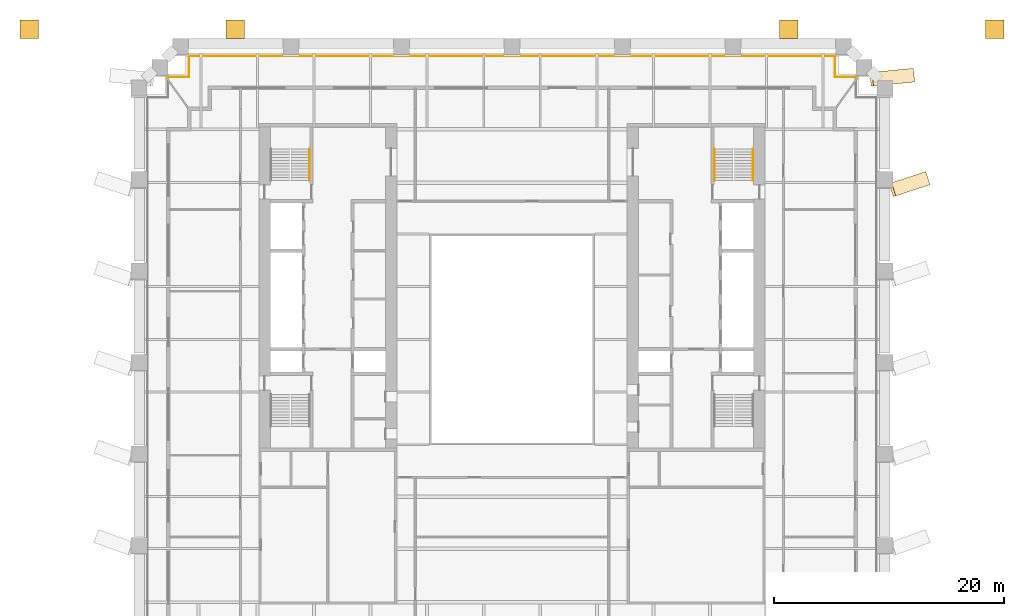
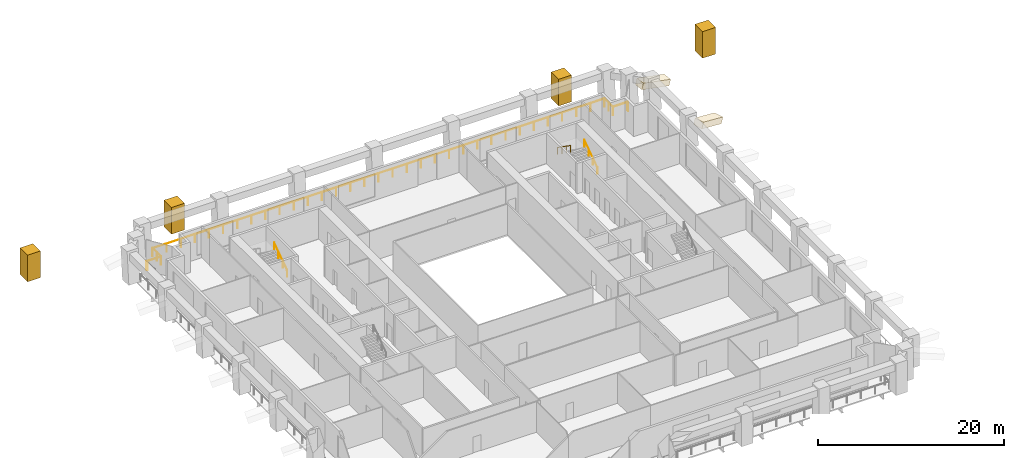
# One storey, part 10 of 10: 6 coverings, 4 railings.
"""IFC4 building model written with IfcOpenShell, lengths in metres."""

from ifc_helpers import new_model, si_unit, direction, frame, origin, origin_2d, place, context, subcontext, project, spatial, rectangle, circle, extrude, material, material_profile, profile_set, type_object, element, save


model = new_model("IFC4")

# Units and contexts
model_context = context("Model", 3, precision=1e-05, world=origin(), true_north=direction((0.0, 1.0)))
body_context = subcontext(model_context, "Body", "Model", "MODEL_VIEW")
ifc_project = project(units=[si_unit("LENGTHUNIT", "METRE"), si_unit("AREAUNIT", "SQUARE_METRE"), si_unit("VOLUMEUNIT", "CUBIC_METRE"), si_unit("PLANEANGLEUNIT", "RADIAN"), si_unit("MASSUNIT", "GRAM", prefix="KILO")], contexts=[model_context])

# Site, building, storey
site_placement = place(None, origin())
site = spatial("IfcSite", under=ifc_project, at=site_placement, CompositionType="ELEMENT")
building_placement = place(site_placement, origin())
building = spatial("IfcBuilding", under=site, at=building_placement, Name="Ogive Exchange Tower", CompositionType="ELEMENT")
storey_placement = place(building_placement, frame((0.0, 0.0, 43.800048828125)))
storey = spatial("IfcBuildingStorey", under=building, at=storey_placement, Name="L08", CompositionType="ELEMENT", Elevation=43.800048828125)

# Railing
ifc_material_1 = material(Name="Stainless steel 316", Category="steel")
railing_type_1 = type_object("IfcRailingType", Name="Guard 1100 stainless steel and glass", PredefinedType="GUARDRAIL", material=ifc_material_1)
railing_1_placement = place(storey_placement, frame((-29.8798828125, 29.64013671875, -0.050048828125)))
element("IfcRailing", 1, at=railing_1_placement, inside=storey, type_object=railing_type_1, Name="Loggia guard 3", PredefinedType="GUARDRAIL", context=body_context, shape_type="SweptSolid", body=[
    extrude(circle(Radius=0.02392578125, at=origin_2d()), frame((0.0, 0.0, 1.076171875), z_axis=(0.0, 1.0, 0.0), x_axis=(-1.0, 0.0, 0.0)), (0.0, 0.0, 1.0), 0.167236328125),
    extrude(circle(Radius=0.02392578125, at=origin_2d()), frame((0.0, 0.167236328125, 1.076171875), z_axis=(1.0, 0.0, 0.0), x_axis=(0.0, 1.0, 0.0)), (0.0, 0.0, 1.0), 1.7998046875),
    extrude(circle(Radius=0.02392578125, at=origin_2d()), frame((1.7998046875, 0.167236328125, 1.076171875), z_axis=(0.0, 1.0, 0.0), x_axis=(-1.0, 0.0, 0.0)), (0.0, 0.0, 1.0), 1.800048828125),
    extrude(circle(Radius=0.02392578125, at=origin_2d()), frame((1.7998046875, 1.96728515625, 1.076171875), z_axis=(1.0, 0.0, 0.0), x_axis=(0.0, 1.0, 0.0)), (0.0, 0.0, 1.0), 56.16015625),
    extrude(circle(Radius=0.02392578125, at=origin_2d()), frame((57.9599609375, 1.96728515625, 1.076171875), z_axis=(0.0, -1.0, 0.0), x_axis=(1.0, 0.0, 0.0)), (0.0, 0.0, 1.0), 1.800048828125),
    extrude(circle(Radius=0.02392578125, at=origin_2d()), frame((57.9599609375, 0.167236328125, 1.076171875), z_axis=(1.0, 0.0, 0.0), x_axis=(0.0, 1.0, 0.0)), (0.0, 0.0, 1.0), 1.7998046875),
    extrude(circle(Radius=0.02392578125, at=origin_2d()), frame((59.759765625, 0.167236328125, 1.076171875), z_axis=(0.0, -1.0, 0.0), x_axis=(1.0, 0.0, 0.0)), (0.0, 0.0, 1.0), 0.167236328125),
    extrude(circle(Radius=0.02099609375, at=origin_2d()), origin(), (0.0, 0.0, 1.0), 1.052001953125),
    extrude(circle(Radius=0.02099609375, at=origin_2d()), frame((0.0, 0.167236328125, 0.0)), (0.0, 0.0, 1.0), 1.052001953125),
    extrude(circle(Radius=0.02099609375, at=origin_2d()), frame((1.7998046875, 0.167236328125, 0.0)), (0.0, 0.0, 1.0), 1.052001953125),
    extrude(circle(Radius=0.02099609375, at=origin_2d()), frame((1.7998046875, 1.0673828125, 0.0)), (0.0, 0.0, 1.0), 1.052001953125),
    extrude(circle(Radius=0.02099609375, at=origin_2d()), frame((1.7998046875, 1.96728515625, 0.0)), (0.0, 0.0, 1.0), 1.052001953125),
    extrude(circle(Radius=0.02099609375, at=origin_2d()), frame((3.5546875, 1.96728515625, 0.0)), (0.0, 0.0, 1.0), 1.052001953125),
    extrude(circle(Radius=0.02099609375, at=origin_2d()), frame((5.309814453125, 1.96728515625, 0.0)), (0.0, 0.0, 1.0), 1.052001953125),
    extrude(circle(Radius=0.02099609375, at=origin_2d()), frame((7.06494140625, 1.96728515625, 0.0)), (0.0, 0.0, 1.0), 1.052001953125),
    extrude(circle(Radius=0.02099609375, at=origin_2d()), frame((8.81982421875, 1.96728515625, 0.0)), (0.0, 0.0, 1.0), 1.052001953125),
    extrude(circle(Radius=0.02099609375, at=origin_2d()), frame((10.57470703125, 1.96728515625, 0.0)), (0.0, 0.0, 1.0), 1.052001953125),
    extrude(circle(Radius=0.02099609375, at=origin_2d()), frame((12.329833984375, 1.96728515625, 0.0)), (0.0, 0.0, 1.0), 1.052001953125),
    extrude(circle(Radius=0.02099609375, at=origin_2d()), frame((14.0849609375, 1.96728515625, 0.0)), (0.0, 0.0, 1.0), 1.052001953125),
    extrude(circle(Radius=0.02099609375, at=origin_2d()), frame((15.83984375, 1.96728515625, 0.0)), (0.0, 0.0, 1.0), 1.052001953125),
    extrude(circle(Radius=0.02099609375, at=origin_2d()), frame((17.5947265625, 1.96728515625, 0.0)), (0.0, 0.0, 1.0), 1.052001953125),
    extrude(circle(Radius=0.02099609375, at=origin_2d()), frame((19.349853515625, 1.96728515625, 0.0)), (0.0, 0.0, 1.0), 1.052001953125),
    extrude(circle(Radius=0.02099609375, at=origin_2d()), frame((21.10498046875, 1.96728515625, 0.0)), (0.0, 0.0, 1.0), 1.052001953125),
    extrude(circle(Radius=0.02099609375, at=origin_2d()), frame((22.85986328125, 1.96728515625, 0.0)), (0.0, 0.0, 1.0), 1.052001953125),
    extrude(circle(Radius=0.02099609375, at=origin_2d()), frame((24.61474609375, 1.96728515625, 0.0)), (0.0, 0.0, 1.0), 1.052001953125),
    extrude(circle(Radius=0.02099609375, at=origin_2d()), frame((26.369873046875, 1.96728515625, 0.0)), (0.0, 0.0, 1.0), 1.052001953125),
    extrude(circle(Radius=0.02099609375, at=origin_2d()), frame((28.125, 1.96728515625, 0.0)), (0.0, 0.0, 1.0), 1.052001953125),
    extrude(circle(Radius=0.02099609375, at=origin_2d()), frame((29.8798828125, 1.96728515625, 0.0)), (0.0, 0.0, 1.0), 1.052001953125),
    extrude(circle(Radius=0.02099609375, at=origin_2d()), frame((31.634765625, 1.96728515625, 0.0)), (0.0, 0.0, 1.0), 1.052001953125),
    extrude(circle(Radius=0.02099609375, at=origin_2d()), frame((33.389892578125, 1.96728515625, 0.0)), (0.0, 0.0, 1.0), 1.052001953125),
    extrude(circle(Radius=0.02099609375, at=origin_2d()), frame((35.14501953125, 1.96728515625, 0.0)), (0.0, 0.0, 1.0), 1.052001953125),
    extrude(circle(Radius=0.02099609375, at=origin_2d()), frame((36.89990234375, 1.96728515625, 0.0)), (0.0, 0.0, 1.0), 1.052001953125),
    extrude(circle(Radius=0.02099609375, at=origin_2d()), frame((38.65478515625, 1.96728515625, 0.0)), (0.0, 0.0, 1.0), 1.052001953125),
    extrude(circle(Radius=0.02099609375, at=origin_2d()), frame((40.409912109375, 1.96728515625, 0.0)), (0.0, 0.0, 1.0), 1.052001953125),
    extrude(circle(Radius=0.02099609375, at=origin_2d()), frame((42.1650390625, 1.96728515625, 0.0)), (0.0, 0.0, 1.0), 1.052001953125),
    extrude(circle(Radius=0.02099609375, at=origin_2d()), frame((43.919921875, 1.96728515625, 0.0)), (0.0, 0.0, 1.0), 1.052001953125),
    extrude(circle(Radius=0.02099609375, at=origin_2d()), frame((45.6748046875, 1.96728515625, 0.0)), (0.0, 0.0, 1.0), 1.052001953125),
    extrude(circle(Radius=0.02099609375, at=origin_2d()), frame((47.429931640625, 1.96728515625, 0.0)), (0.0, 0.0, 1.0), 1.052001953125),
    extrude(circle(Radius=0.02099609375, at=origin_2d()), frame((49.18505859375, 1.96728515625, 0.0)), (0.0, 0.0, 1.0), 1.052001953125),
    extrude(circle(Radius=0.02099609375, at=origin_2d()), frame((50.93994140625, 1.96728515625, 0.0)), (0.0, 0.0, 1.0), 1.052001953125),
    extrude(circle(Radius=0.02099609375, at=origin_2d()), frame((52.69482421875, 1.96728515625, 0.0)), (0.0, 0.0, 1.0), 1.052001953125),
    extrude(circle(Radius=0.02099609375, at=origin_2d()), frame((54.449951171875, 1.96728515625, 0.0)), (0.0, 0.0, 1.0), 1.052001953125),
    extrude(circle(Radius=0.02099609375, at=origin_2d()), frame((56.205078125, 1.96728515625, 0.0)), (0.0, 0.0, 1.0), 1.052001953125),
    extrude(circle(Radius=0.02099609375, at=origin_2d()), frame((57.9599609375, 1.96728515625, 0.0)), (0.0, 0.0, 1.0), 1.052001953125),
    extrude(circle(Radius=0.02099609375, at=origin_2d()), frame((57.9599609375, 1.0673828125, 0.0)), (0.0, 0.0, 1.0), 1.052001953125),
    extrude(circle(Radius=0.02099609375, at=origin_2d()), frame((57.9599609375, 0.167236328125, 0.0)), (0.0, 0.0, 1.0), 1.052001953125),
    extrude(circle(Radius=0.02099609375, at=origin_2d()), frame((59.759765625, 0.167236328125, 0.0)), (0.0, 0.0, 1.0), 1.052001953125),
    extrude(circle(Radius=0.02099609375, at=origin_2d()), frame((59.759765625, 0.0, 0.0)), (0.0, 0.0, 1.0), 1.052001953125),
])

# Coverings
ifc_material_2 = material(Name="Precast concrete C50/60", Category="concrete")
ifc_material_profile_1 = material_profile(ifc_material_2, rectangle(XDim=1.60009765625, YDim=1.60009765625, at=origin_2d()), Name="CORNER TURRET 3 1600 x 1600")
ifc_profile_set_1 = profile_set([ifc_material_profile_1], Name="Precast concrete C50/60")
covering_type_1 = type_object("IfcCoveringType", Name="Precast corner turret stage 3 1600 x 1600 C50/60", PredefinedType="CLADDING", material=ifc_profile_set_1)
for number, where, z_axis, x_axis, name in (
    (2, (41.949951171875, 33.949951171875, 0.800048828125), (0.0, 0.0, 1.0), (1.0, 0.0, 0.0), "Corner turret 1 stage 3"),
    (3, (24.050048828125, 33.949951171875, 0.800048828125), (0.0, 0.0, 1.0), (1.0, 0.0, 0.0), "Corner turret 2 stage 3"),
    (4, (-24.050048828125, 33.949951171875, 0.800048828125), (0.0, 0.0, 1.0), (1.0, 0.0, 0.0), "Corner turret 3 stage 3"),
    (5, (-41.949951171875, 33.949951171875, 0.800048828125), (0.0, 0.0, 1.0), (1.0, 0.0, 0.0), "Corner turret 4 stage 3"),
):
    element("IfcCovering", number, at=place(storey_placement, frame(where, z_axis=z_axis, x_axis=x_axis)), inside=storey, type_object=covering_type_1, Name=name, PredefinedType="CLADDING", context=body_context, shape_type="SweptSolid", body=[
        extrude(rectangle(XDim=1.60009765625, YDim=1.60009765625, at=origin_2d()), origin(), (0.0, 0.0, 1.0), 3.5),
    ])
ifc_material_profile_2 = material_profile(ifc_material_2, rectangle(XDim=1.199951171875, YDim=0.800048828125, at=origin_2d()), Name="FLYING BUTTRESS 3 1200 x 800")
ifc_profile_set_2 = profile_set([ifc_material_profile_2], Name="Precast concrete C50/60")
covering_type_2 = type_object("IfcCoveringType", Name="Precast flying buttress stage 3 1200 x 800 C50/60", PredefinedType="CLADDING", material=ifc_profile_set_2)
covering_1_placement = place(storey_placement, frame((34.8330078125, 29.949951171875, 2.10595703125), z_axis=(-0.962713301589, -0.094001646305, 0.253666689646), x_axis=(0.097180248137, -0.995266798086, 0.0)))
element("IfcCovering", 6, at=covering_1_placement, inside=storey, type_object=covering_type_2, Name="Flying buttress 2 stage 3", PredefinedType="CLADDING", context=body_context, shape_type="SweptSolid", body=[
    extrude(rectangle(XDim=1.199951171875, YDim=0.800048828125, at=origin_2d()), origin(), (0.0, 0.0, 1.0), 3.7216796875),
])
covering_2_placement = place(storey_placement, frame((36.032958984375, 20.972900390625, 2.10595703125), z_axis=(-0.910389128147, -0.296930813199, 0.288138382595), x_axis=(0.310081758742, -0.950709894182, 0.0)))
element("IfcCovering", 7, at=covering_2_placement, inside=storey, type_object=covering_type_2, Name="Flying buttress 6 stage 3", PredefinedType="CLADDING", context=body_context, shape_type="SweptSolid", body=[
    extrude(rectangle(XDim=1.199951171875, YDim=0.800048828125, at=origin_2d()), origin(), (0.0, 0.0, 1.0), 3.276611328125),
])

# Railings
ifc_material_3 = material(Name="Stainless steel", Category="steel")
railing_type_2 = type_object("IfcRailingType", Name="Stair handrail 900", PredefinedType="HANDRAIL", material=ifc_material_3)
for number, where, name in (
    (8, (-17.60009765625, 20.800048828125, 0.175048828125), "L08 ST2 stair handrail 1"),
    (9, (20.949951171875, 20.800048828125, 0.175048828125), "L08 ST4 stair handrail 1"),
):
    element("IfcRailing", number, at=place(storey_placement, frame(where)), inside=storey, type_object=railing_type_2, Name=name, PredefinedType="HANDRAIL", context=body_context, shape_type="SweptSolid", body=[
        extrude(circle(Radius=0.02392578125, at=origin_2d()), frame((0.0, 0.0, 0.8759765625), z_axis=(0.0, 0.819259255306, 0.573423292687), x_axis=(-1.0, 0.0, 0.0)), (0.0, 0.0, 1.0), 3.356689453125),
        extrude(circle(Radius=0.02099609375, at=origin_2d()), origin(), (0.0, 0.0, 1.0), 0.851806640625),
        extrude(circle(Radius=0.02099609375, at=origin_2d()), frame((0.0, 0.916748046875, 0.6416015625)), (0.0, 0.0, 1.0), 0.851806640625),
        extrude(circle(Radius=0.02099609375, at=origin_2d()), frame((0.0, 1.833251953125, 1.283203125)), (0.0, 0.0, 1.0), 0.851806640625),
        extrude(circle(Radius=0.02099609375, at=origin_2d()), frame((0.0, 2.75, 1.9248046875)), (0.0, 0.0, 1.0), 0.851806640625),
    ])
railing_2_placement = place(storey_placement, frame((17.60009765625, 23.550048828125, 2.27490234375)))
element("IfcRailing", 10, at=railing_2_placement, inside=storey, type_object=railing_type_2, Name="L08 ST4 stair handrail 2", PredefinedType="HANDRAIL", context=body_context, shape_type="SweptSolid", body=[
    extrude(circle(Radius=0.02392578125, at=origin_2d()), frame((0.0, 0.0, 0.8759765625), z_axis=(0.0, -0.819225086817, 0.573472106672), x_axis=(1.0, 0.0, 0.0)), (0.0, 0.0, 1.0), 3.35693359375),
    extrude(circle(Radius=0.02099609375, at=origin_2d()), origin(), (0.0, 0.0, 1.0), 0.851806640625),
    extrude(circle(Radius=0.02099609375, at=origin_2d()), frame((0.0, -0.916748046875, 0.6416015625)), (0.0, 0.0, 1.0), 0.851806640625),
    extrude(circle(Radius=0.02099609375, at=origin_2d()), frame((0.0, -1.833251953125, 1.283447265625)), (0.0, 0.0, 1.0), 0.851806640625),
    extrude(circle(Radius=0.02099609375, at=origin_2d()), frame((0.0, -2.75, 1.925048828125)), (0.0, 0.0, 1.0), 0.851806640625),
])

save(model, "model.ifc")
